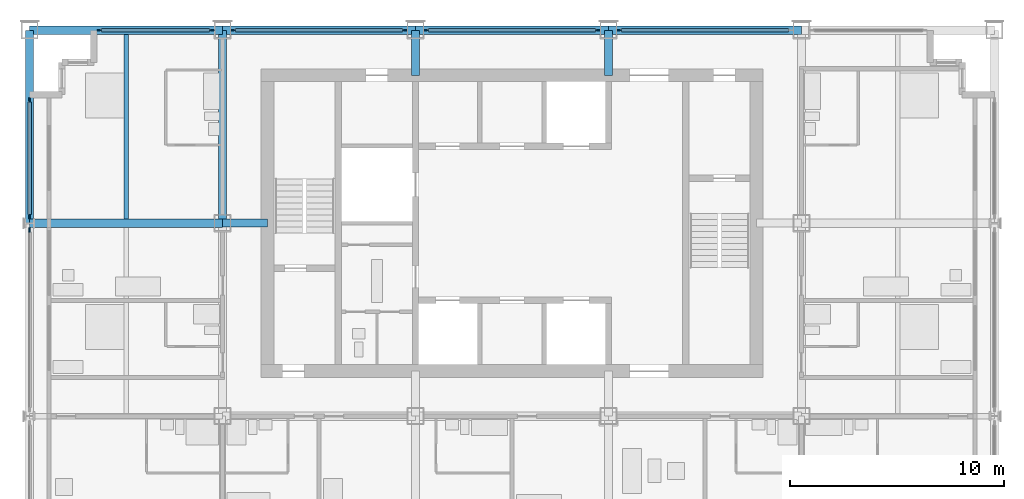
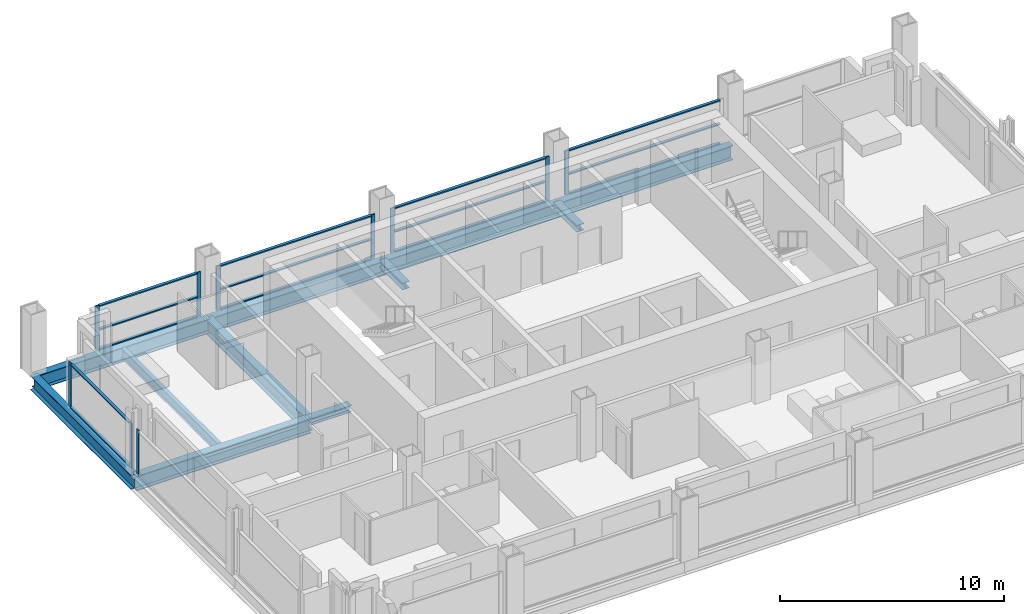
# One storey, part 4 of 13: 27 members, 8 beams, 6 elements without a shape of their own.
"""IFC4 building model written with IfcOpenShell, lengths in metres."""

from ifc_helpers import new_model, si_unit, direction, frame, origin, origin_2d, place, context, subcontext, project, spatial, rectangle, i_section, extrude, material, material_profile, profile_set, type_object, element, aggregate, save


model = new_model("IFC4")

# Units and contexts
model_context = context("Model", 3, precision=1e-05, world=origin(), true_north=direction((0.0, 1.0)))
body_context = subcontext(model_context, "Body", "Model", "MODEL_VIEW")
ifc_project = project(units=[si_unit("LENGTHUNIT", "METRE"), si_unit("AREAUNIT", "SQUARE_METRE"), si_unit("VOLUMEUNIT", "CUBIC_METRE"), si_unit("PLANEANGLEUNIT", "RADIAN"), si_unit("MASSUNIT", "GRAM", prefix="KILO")], contexts=[model_context])

# Site, building, storey
site_placement = place(None, origin())
site = spatial("IfcSite", under=ifc_project, at=site_placement, CompositionType="ELEMENT")
building_placement = place(site_placement, origin())
building = spatial("IfcBuilding", under=site, at=building_placement, Name="Loomwork Tower", CompositionType="ELEMENT")
storey_placement = place(building_placement, frame((0.0, 0.0, 204.60009765625)))
storey = spatial("IfcBuildingStorey", under=building, at=storey_placement, Name="L56", CompositionType="ELEMENT", Elevation=204.60009765625)

# Beams
ifc_material_1 = material(Name="Steel ASTM A992", Category="steel")
ifc_material_profile_1 = material_profile(ifc_material_1, i_section(OverallWidth=0.383544921875, OverallDepth=0.794921875, WebThickness=0.02099609375, FlangeThickness=0.0380859375, at=origin_2d()), Name="W30x235")
ifc_profile_set_1 = profile_set([ifc_material_profile_1], Name="Steel ASTM A992")
beam_type_1 = type_object("IfcBeamType", Name="CORE FLANK GIRDER W30x235", PredefinedType="BEAM", material=ifc_profile_set_1)
for number, where, z_axis, x_axis, name in (
    (1, (0.0, 18.0, -0.59765625), (1.0, 0.0, 0.0), (0.0, 1.0, 0.0), "Core Flank Girder F/2-F/3 L56"),
    (2, (9.0, 18.0, -0.59765625), (0.0, 1.0, 0.0), (-1.0, 0.0, 0.0), "Core Flank Girder F/3-G/3 L56"),
):
    element("IfcBeam", number, at=place(storey_placement, frame(where, z_axis=z_axis, x_axis=x_axis)), inside=storey, type_object=beam_type_1, Name=name, PredefinedType="BEAM", context=body_context, shape_type="SweptSolid", body=[
        extrude(i_section(OverallWidth=0.383544921875, OverallDepth=0.794921875, WebThickness=0.02099609375, FlangeThickness=0.0380859375, at=origin_2d()), origin(), (0.0, 0.0, 1.0), 9.0),
    ])

# Members
ifc_material_2 = material(Name="Steel ASTM A992", Category="steel")
ifc_material_profile_2 = material_profile(ifc_material_2, i_section(OverallWidth=0.373291015625, OverallDepth=0.373291015625, WebThickness=0.016357421875, FlangeThickness=0.026123046875, at=origin_2d()), Name="W14x132")
ifc_profile_set_2 = profile_set([ifc_material_profile_2], Name="Steel ASTM A992")
member_type_1 = type_object("IfcMemberType", Name="CORE LINK STRUT W14x132", PredefinedType="STRUT", material=ifc_profile_set_2)
for number, where, z_axis, x_axis, name in (
    (3, (27.0, 27.0, -0.38671875), (0.0, -1.0, 0.0), (1.0, 0.0, 0.0), "Core link strut G/5-27.000,24.900 L56"),
    (4, (18.0, 27.0, -0.38671875), (0.0, -1.0, 0.0), (1.0, 0.0, 0.0), "Core link strut G/4-18.000,24.900 L56"),
    (5, (9.0, 18.0, -0.38671875), (1.0, 0.0, 0.0), (0.0, 1.0, 0.0), "Core link strut F/3-11.100,18.000 L56"),
):
    element("IfcMember", number, at=place(storey_placement, frame(where, z_axis=z_axis, x_axis=x_axis)), inside=storey, type_object=member_type_1, Name=name, PredefinedType="STRUT", context=body_context, shape_type="SweptSolid", body=[
        extrude(i_section(OverallWidth=0.373291015625, OverallDepth=0.373291015625, WebThickness=0.016357421875, FlangeThickness=0.026123046875, at=origin_2d()), origin(), (0.0, 0.0, 1.0), 2.10009765625),
    ])

# Beam
ifc_material_3 = material(Name="Steel ASTM A992", Category="steel")
ifc_material_profile_3 = material_profile(ifc_material_3, i_section(OverallWidth=0.2109375, OverallDepth=0.53857421875, WebThickness=0.011474609375, FlangeThickness=0.018798828125, at=origin_2d()), Name="W21x73")
ifc_profile_set_3 = profile_set([ifc_material_profile_3], Name="Steel ASTM A992")
beam_type_2 = type_object("IfcBeamType", Name="FLOOR JOIST W21x73", PredefinedType="JOIST", material=ifc_profile_set_3)
beam_placement = place(storey_placement, frame((4.5, 18.19091796875, -0.46923828125), z_axis=(0.0, 1.0, 0.0), x_axis=(-1.0, 0.0, 0.0)))
element("IfcBeam", 6, at=beam_placement, inside=storey, type_object=beam_type_2, Name="Floor Joist 4.500,18.000-4.500,27.000 L56", PredefinedType="JOIST", context=body_context, shape_type="SweptSolid", body=[
    extrude(i_section(OverallWidth=0.2109375, OverallDepth=0.53857421875, WebThickness=0.011474609375, FlangeThickness=0.018798828125, at=origin_2d()), origin(), (0.0, 0.0, 1.0), 8.619140625),
])

# Curtain wall, member
ifc_material_4 = material(Name="Aluminium curtain wall frame", Category="aluminium")
curtain_wall_type_1 = type_object("IfcCurtainWallType", Name="Outer skin glazing hotel", PredefinedType="NOTDEFINED", material=ifc_material_4)
curtain_wall_1_placement = place(storey_placement, origin())
curtain_wall_1 = element("IfcCurtainWall", 7, at=curtain_wall_1_placement, inside=storey, type_object=curtain_wall_type_1, Name="Outer skin glazing hotel cw/W-9", PredefinedType="NOTDEFINED")
ifc_material_5 = material(Name="Aluminium curtain wall frame", Category="aluminium")
ifc_material_profile_4 = material_profile(ifc_material_5, rectangle(XDim=0.06494140625, YDim=0.199951171875, at=origin_2d()), Name="AL 65x200")
ifc_profile_set_4 = profile_set([ifc_material_profile_4], Name="Aluminium curtain wall frame")
member_type_2 = type_object("IfcMemberType", Name="Outer skin glazing hotel mullion", PredefinedType="MULLION", material=ifc_profile_set_4)
member_1_placement = place(storey_placement, frame((0.0, 17.6865234375, 0.0), z_axis=(0.0, 0.0, 1.0), x_axis=(1.0, 0.0, 0.0)))
member_1 = element("IfcMember", 8, at=member_1_placement, type_object=member_type_2, Name="CW1 mullion 1", PredefinedType="MULLION", context=body_context, shape_type="SweptSolid", body=[
    extrude(rectangle(XDim=0.06494140625, YDim=0.199951171875, at=origin_2d()), origin(), (0.0, 0.0, 1.0), 2.420166015625),
])
aggregate(curtain_wall_1, [member_1])

# Curtain wall, members
curtain_wall_2_placement = place(storey_placement, origin())
curtain_wall_2 = element("IfcCurtainWall", 9, at=curtain_wall_2_placement, inside=storey, type_object=curtain_wall_type_1, Name="Outer skin glazing hotel cw/W-18", PredefinedType="NOTDEFINED")
member_2_placement = place(storey_placement, frame((0.0, 23.75, 0.0), z_axis=(0.0, 0.0, 1.0), x_axis=(1.0, 0.0, 0.0)))
member_2 = element("IfcMember", 10, at=member_2_placement, type_object=member_type_2, Name="CW1 mullion 1", PredefinedType="MULLION", context=body_context, shape_type="SweptSolid", body=[
    extrude(rectangle(XDim=0.06494140625, YDim=0.199951171875, at=origin_2d()), origin(), (0.0, 0.0, 1.0), 2.420166015625),
])
member_3_placement = place(storey_placement, frame((0.0, 18.3134765625, 0.0), z_axis=(0.0, 0.0, 1.0), x_axis=(1.0, 0.0, 0.0)))
member_3 = element("IfcMember", 11, at=member_3_placement, type_object=member_type_2, Name="CW1 mullion 2", PredefinedType="MULLION", context=body_context, shape_type="SweptSolid", body=[
    extrude(rectangle(XDim=0.06494140625, YDim=0.199951171875, at=origin_2d()), origin(), (0.0, 0.0, 1.0), 2.420166015625),
])
ifc_material_6 = material(Name="Aluminium curtain wall frame", Category="aluminium")
ifc_material_profile_5 = material_profile(ifc_material_6, rectangle(XDim=0.14990234375, YDim=0.06494140625, at=origin_2d()), Name="AL 65x150")
ifc_profile_set_5 = profile_set([ifc_material_profile_5], Name="Aluminium curtain wall frame")
member_type_3 = type_object("IfcMemberType", Name="Outer skin glazing hotel transom", PredefinedType="USERDEFINED", material=ifc_profile_set_5)
member_4_placement = place(storey_placement, frame((0.0, 23.64990234375, 0.032470703125), z_axis=(0.0, -1.0, 0.0), x_axis=(1.0, 0.0, 0.0)))
member_4 = element("IfcMember", 12, at=member_4_placement, type_object=member_type_3, Name="CW1 transom 1.1", ObjectType="TRANSOM", PredefinedType="USERDEFINED", context=body_context, shape_type="SweptSolid", body=[
    extrude(rectangle(XDim=0.14990234375, YDim=0.06494140625, at=origin_2d()), origin(), (0.0, 0.0, 1.0), 5.236572265625),
])
member_5_placement = place(storey_placement, frame((0.0, 23.64990234375, 2.3876953125), z_axis=(0.0, -1.0, 0.0), x_axis=(1.0, 0.0, 0.0)))
member_5 = element("IfcMember", 13, at=member_5_placement, type_object=member_type_3, Name="CW1 transom 1.2", ObjectType="TRANSOM", PredefinedType="USERDEFINED", context=body_context, shape_type="SweptSolid", body=[
    extrude(rectangle(XDim=0.14990234375, YDim=0.06494140625, at=origin_2d()), origin(), (0.0, 0.0, 1.0), 5.236572265625),
])
aggregate(curtain_wall_2, [member_2, member_3, member_4, member_5])

# Beams
ifc_material_7 = material(Name="Steel ASTM A992", Category="steel")
ifc_material_profile_6 = material_profile(ifc_material_7, i_section(OverallWidth=0.381103515625, OverallDepth=0.77978515625, WebThickness=0.01806640625, FlangeThickness=0.0302734375, at=origin_2d()), Name="W30x191")
ifc_profile_set_6 = profile_set([ifc_material_profile_6], Name="Steel ASTM A992")
beam_type_3 = type_object("IfcBeamType", Name="SPANDREL GIRDER W30x191", PredefinedType="SPANDREL", material=ifc_profile_set_6)
for number, where, z_axis, x_axis, name in (
    (14, (0.0, 27.0, -0.590087890625), (1.0, 0.0, 0.0), (0.0, 1.0, 0.0), "Spandrel Girder G/2-G/3 L56"),
    (15, (9.0, 27.0, -0.590087890625), (1.0, 0.0, 0.0), (0.0, 1.0, 0.0), "Spandrel Girder G/3-G/4 L56"),
    (16, (18.0, 27.0, -0.590087890625), (1.0, 0.0, 0.0), (0.0, 1.0, 0.0), "Spandrel Girder G/4-G/5 L56"),
    (17, (27.0, 27.0, -0.590087890625), (1.0, 0.0, 0.0), (0.0, 1.0, 0.0), "Spandrel Girder G/5-G/6 L56"),
    (18, (0.0, 18.0, -0.590087890625), (0.0, 1.0, 0.0), (-1.0, 0.0, 0.0), "Spandrel Girder F/2-G/2 L56"),
):
    element("IfcBeam", number, at=place(storey_placement, frame(where, z_axis=z_axis, x_axis=x_axis)), inside=storey, type_object=beam_type_3, Name=name, PredefinedType="SPANDREL", context=body_context, shape_type="SweptSolid", body=[
        extrude(i_section(OverallWidth=0.381103515625, OverallDepth=0.77978515625, WebThickness=0.01806640625, FlangeThickness=0.0302734375, at=origin_2d()), origin(), (0.0, 0.0, 1.0), 9.0),
    ])

# Curtain wall, members
ifc_material_8 = material(Name="Aluminium curtain wall frame", Category="aluminium")
curtain_wall_type_2 = type_object("IfcCurtainWallType", Name="Single skin glazing corridor", PredefinedType="NOTDEFINED", material=ifc_material_8)
curtain_wall_3_placement = place(storey_placement, origin())
curtain_wall_3 = element("IfcCurtainWall", 19, at=curtain_wall_3_placement, inside=storey, type_object=curtain_wall_type_2, Name="Single skin glazing corridor cw/N-0", PredefinedType="NOTDEFINED")
ifc_material_9 = material(Name="Aluminium curtain wall frame", Category="aluminium")
ifc_material_profile_7 = material_profile(ifc_material_9, rectangle(XDim=0.06494140625, YDim=0.199951171875, at=origin_2d()), Name="AL 65x200")
ifc_profile_set_7 = profile_set([ifc_material_profile_7], Name="Aluminium curtain wall frame")
member_type_4 = type_object("IfcMemberType", Name="Single skin glazing corridor mullion", PredefinedType="MULLION", material=ifc_profile_set_7)
member_6_placement = place(storey_placement, frame((8.5, 27.0, 0.0), z_axis=(0.0, 0.0, 1.0), x_axis=(0.0, -1.0, 0.0)))
member_6 = element("IfcMember", 20, at=member_6_placement, type_object=member_type_4, Name="CW3 mullion 1", PredefinedType="MULLION", context=body_context, shape_type="SweptSolid", body=[
    extrude(rectangle(XDim=0.06494140625, YDim=0.199951171875, at=origin_2d()), origin(), (0.0, 0.0, 1.0), 2.420166015625),
])
member_7_placement = place(storey_placement, frame((3.25, 27.0, 0.0), z_axis=(0.0, 0.0, 1.0), x_axis=(0.0, -1.0, 0.0)))
member_7 = element("IfcMember", 21, at=member_7_placement, type_object=member_type_4, Name="CW3 mullion 2", PredefinedType="MULLION", context=body_context, shape_type="SweptSolid", body=[
    extrude(rectangle(XDim=0.06494140625, YDim=0.199951171875, at=origin_2d()), origin(), (0.0, 0.0, 1.0), 2.420166015625),
])

curtain_wall_4_placement = place(storey_placement, origin())
curtain_wall_4 = element("IfcCurtainWall", 22, at=curtain_wall_4_placement, inside=storey, type_object=curtain_wall_type_2, Name="Single skin glazing corridor cw/N-9", PredefinedType="NOTDEFINED")
member_8_placement = place(storey_placement, frame((17.5, 27.0, 0.0), z_axis=(0.0, 0.0, 1.0), x_axis=(0.0, -1.0, 0.0)))
member_8 = element("IfcMember", 23, at=member_8_placement, type_object=member_type_4, Name="CW3 mullion 1", PredefinedType="MULLION", context=body_context, shape_type="SweptSolid", body=[
    extrude(rectangle(XDim=0.06494140625, YDim=0.199951171875, at=origin_2d()), origin(), (0.0, 0.0, 1.0), 2.420166015625),
])
member_9_placement = place(storey_placement, frame((9.5, 27.0, 0.0), z_axis=(0.0, 0.0, 1.0), x_axis=(0.0, -1.0, 0.0)))
member_9 = element("IfcMember", 24, at=member_9_placement, type_object=member_type_4, Name="CW3 mullion 2", PredefinedType="MULLION", context=body_context, shape_type="SweptSolid", body=[
    extrude(rectangle(XDim=0.06494140625, YDim=0.199951171875, at=origin_2d()), origin(), (0.0, 0.0, 1.0), 2.420166015625),
])

curtain_wall_5_placement = place(storey_placement, origin())
curtain_wall_5 = element("IfcCurtainWall", 25, at=curtain_wall_5_placement, inside=storey, type_object=curtain_wall_type_2, Name="Single skin glazing corridor cw/N-18", PredefinedType="NOTDEFINED")
member_10_placement = place(storey_placement, frame((26.5, 27.0, 0.0), z_axis=(0.0, 0.0, 1.0), x_axis=(0.0, -1.0, 0.0)))
member_10 = element("IfcMember", 26, at=member_10_placement, type_object=member_type_4, Name="CW3 mullion 1", PredefinedType="MULLION", context=body_context, shape_type="SweptSolid", body=[
    extrude(rectangle(XDim=0.06494140625, YDim=0.199951171875, at=origin_2d()), origin(), (0.0, 0.0, 1.0), 2.420166015625),
])
member_11_placement = place(storey_placement, frame((18.5, 27.0, 0.0), z_axis=(0.0, 0.0, 1.0), x_axis=(0.0, -1.0, 0.0)))
member_11 = element("IfcMember", 27, at=member_11_placement, type_object=member_type_4, Name="CW3 mullion 2", PredefinedType="MULLION", context=body_context, shape_type="SweptSolid", body=[
    extrude(rectangle(XDim=0.06494140625, YDim=0.199951171875, at=origin_2d()), origin(), (0.0, 0.0, 1.0), 2.420166015625),
])

# Curtain wall, member
curtain_wall_6_placement = place(storey_placement, origin())
curtain_wall_6 = element("IfcCurtainWall", 28, at=curtain_wall_6_placement, inside=storey, type_object=curtain_wall_type_2, Name="Single skin glazing corridor cw/N-27", PredefinedType="NOTDEFINED")
member_12_placement = place(storey_placement, frame((27.5, 27.0, 0.0), z_axis=(0.0, 0.0, 1.0), x_axis=(0.0, -1.0, 0.0)))
member_12 = element("IfcMember", 29, at=member_12_placement, type_object=member_type_4, Name="CW3 mullion 2", PredefinedType="MULLION", context=body_context, shape_type="SweptSolid", body=[
    extrude(rectangle(XDim=0.06494140625, YDim=0.199951171875, at=origin_2d()), origin(), (0.0, 0.0, 1.0), 2.420166015625),
])

# Member
ifc_material_10 = material(Name="Aluminium curtain wall frame", Category="aluminium")
ifc_material_profile_8 = material_profile(ifc_material_10, rectangle(XDim=0.14990234375, YDim=0.06494140625, at=origin_2d()), Name="AL 65x150")
ifc_profile_set_8 = profile_set([ifc_material_profile_8], Name="Aluminium curtain wall frame")
member_type_5 = type_object("IfcMemberType", Name="Single skin glazing corridor transom", PredefinedType="USERDEFINED", material=ifc_profile_set_8)
member_13_placement = place(storey_placement, frame((8.39990234375, 27.0, 0.032470703125), z_axis=(-1.0, 0.0, 0.0), x_axis=(0.0, -1.0, 0.0)))
member_13 = element("IfcMember", 30, at=member_13_placement, type_object=member_type_5, Name="CW3 transom 1.1", ObjectType="TRANSOM", PredefinedType="USERDEFINED", context=body_context, shape_type="SweptSolid", body=[
    extrude(rectangle(XDim=0.14990234375, YDim=0.06494140625, at=origin_2d()), origin(), (0.0, 0.0, 1.0), 5.0498046875),
])

member_14_placement = place(storey_placement, frame((8.39990234375, 27.0, 1.099853515625), z_axis=(-1.0, 0.0, 0.0), x_axis=(0.0, -1.0, 0.0)))
member_14 = element("IfcMember", 31, at=member_14_placement, type_object=member_type_5, Name="CW3 transom 1.2", ObjectType="TRANSOM", PredefinedType="USERDEFINED", context=body_context, shape_type="SweptSolid", body=[
    extrude(rectangle(XDim=0.14990234375, YDim=0.06494140625, at=origin_2d()), origin(), (0.0, 0.0, 1.0), 5.0498046875),
])

member_15_placement = place(storey_placement, frame((8.39990234375, 27.0, 2.3876953125), z_axis=(-1.0, 0.0, 0.0), x_axis=(0.0, -1.0, 0.0)))
member_15 = element("IfcMember", 32, at=member_15_placement, type_object=member_type_5, Name="CW3 transom 1.3", ObjectType="TRANSOM", PredefinedType="USERDEFINED", context=body_context, shape_type="SweptSolid", body=[
    extrude(rectangle(XDim=0.14990234375, YDim=0.06494140625, at=origin_2d()), origin(), (0.0, 0.0, 1.0), 5.0498046875),
])

aggregate(curtain_wall_3, [member_6, member_7, member_13, member_14, member_15])

member_16_placement = place(storey_placement, frame((17.39990234375, 27.0, 0.032470703125), z_axis=(-1.0, 0.0, 0.0), x_axis=(0.0, -1.0, 0.0)))
member_16 = element("IfcMember", 33, at=member_16_placement, type_object=member_type_5, Name="CW3 transom 1.1", ObjectType="TRANSOM", PredefinedType="USERDEFINED", context=body_context, shape_type="SweptSolid", body=[
    extrude(rectangle(XDim=0.14990234375, YDim=0.06494140625, at=origin_2d()), origin(), (0.0, 0.0, 1.0), 7.7998046875),
])

member_17_placement = place(storey_placement, frame((17.39990234375, 27.0, 1.099853515625), z_axis=(-1.0, 0.0, 0.0), x_axis=(0.0, -1.0, 0.0)))
member_17 = element("IfcMember", 34, at=member_17_placement, type_object=member_type_5, Name="CW3 transom 1.2", ObjectType="TRANSOM", PredefinedType="USERDEFINED", context=body_context, shape_type="SweptSolid", body=[
    extrude(rectangle(XDim=0.14990234375, YDim=0.06494140625, at=origin_2d()), origin(), (0.0, 0.0, 1.0), 7.7998046875),
])

member_18_placement = place(storey_placement, frame((17.39990234375, 27.0, 2.3876953125), z_axis=(-1.0, 0.0, 0.0), x_axis=(0.0, -1.0, 0.0)))
member_18 = element("IfcMember", 35, at=member_18_placement, type_object=member_type_5, Name="CW3 transom 1.3", ObjectType="TRANSOM", PredefinedType="USERDEFINED", context=body_context, shape_type="SweptSolid", body=[
    extrude(rectangle(XDim=0.14990234375, YDim=0.06494140625, at=origin_2d()), origin(), (0.0, 0.0, 1.0), 7.7998046875),
])

aggregate(curtain_wall_4, [member_8, member_9, member_16, member_17, member_18])

member_19_placement = place(storey_placement, frame((26.39990234375, 27.0, 0.032470703125), z_axis=(-1.0, 0.0, 0.0), x_axis=(0.0, -1.0, 0.0)))
member_19 = element("IfcMember", 36, at=member_19_placement, type_object=member_type_5, Name="CW3 transom 1.1", ObjectType="TRANSOM", PredefinedType="USERDEFINED", context=body_context, shape_type="SweptSolid", body=[
    extrude(rectangle(XDim=0.14990234375, YDim=0.06494140625, at=origin_2d()), origin(), (0.0, 0.0, 1.0), 7.7998046875),
])

member_20_placement = place(storey_placement, frame((26.39990234375, 27.0, 1.099853515625), z_axis=(-1.0, 0.0, 0.0), x_axis=(0.0, -1.0, 0.0)))
member_20 = element("IfcMember", 37, at=member_20_placement, type_object=member_type_5, Name="CW3 transom 1.2", ObjectType="TRANSOM", PredefinedType="USERDEFINED", context=body_context, shape_type="SweptSolid", body=[
    extrude(rectangle(XDim=0.14990234375, YDim=0.06494140625, at=origin_2d()), origin(), (0.0, 0.0, 1.0), 7.7998046875),
])

member_21_placement = place(storey_placement, frame((26.39990234375, 27.0, 2.3876953125), z_axis=(-1.0, 0.0, 0.0), x_axis=(0.0, -1.0, 0.0)))
member_21 = element("IfcMember", 38, at=member_21_placement, type_object=member_type_5, Name="CW3 transom 1.3", ObjectType="TRANSOM", PredefinedType="USERDEFINED", context=body_context, shape_type="SweptSolid", body=[
    extrude(rectangle(XDim=0.14990234375, YDim=0.06494140625, at=origin_2d()), origin(), (0.0, 0.0, 1.0), 7.7998046875),
])

aggregate(curtain_wall_5, [member_10, member_11, member_19, member_20, member_21])

member_22_placement = place(storey_placement, frame((35.39990234375, 27.0, 0.032470703125), z_axis=(-1.0, 0.0, 0.0), x_axis=(0.0, -1.0, 0.0)))
member_22 = element("IfcMember", 39, at=member_22_placement, type_object=member_type_5, Name="CW3 transom 1.1", ObjectType="TRANSOM", PredefinedType="USERDEFINED", context=body_context, shape_type="SweptSolid", body=[
    extrude(rectangle(XDim=0.14990234375, YDim=0.06494140625, at=origin_2d()), origin(), (0.0, 0.0, 1.0), 7.7998046875),
])

member_23_placement = place(storey_placement, frame((35.39990234375, 27.0, 1.099853515625), z_axis=(-1.0, 0.0, 0.0), x_axis=(0.0, -1.0, 0.0)))
member_23 = element("IfcMember", 40, at=member_23_placement, type_object=member_type_5, Name="CW3 transom 1.2", ObjectType="TRANSOM", PredefinedType="USERDEFINED", context=body_context, shape_type="SweptSolid", body=[
    extrude(rectangle(XDim=0.14990234375, YDim=0.06494140625, at=origin_2d()), origin(), (0.0, 0.0, 1.0), 7.7998046875),
])

member_24_placement = place(storey_placement, frame((35.39990234375, 27.0, 2.3876953125), z_axis=(-1.0, 0.0, 0.0), x_axis=(0.0, -1.0, 0.0)))
member_24 = element("IfcMember", 41, at=member_24_placement, type_object=member_type_5, Name="CW3 transom 1.3", ObjectType="TRANSOM", PredefinedType="USERDEFINED", context=body_context, shape_type="SweptSolid", body=[
    extrude(rectangle(XDim=0.14990234375, YDim=0.06494140625, at=origin_2d()), origin(), (0.0, 0.0, 1.0), 7.7998046875),
])

aggregate(curtain_wall_6, [member_12, member_22, member_23, member_24])

save(model, "model.ifc")
